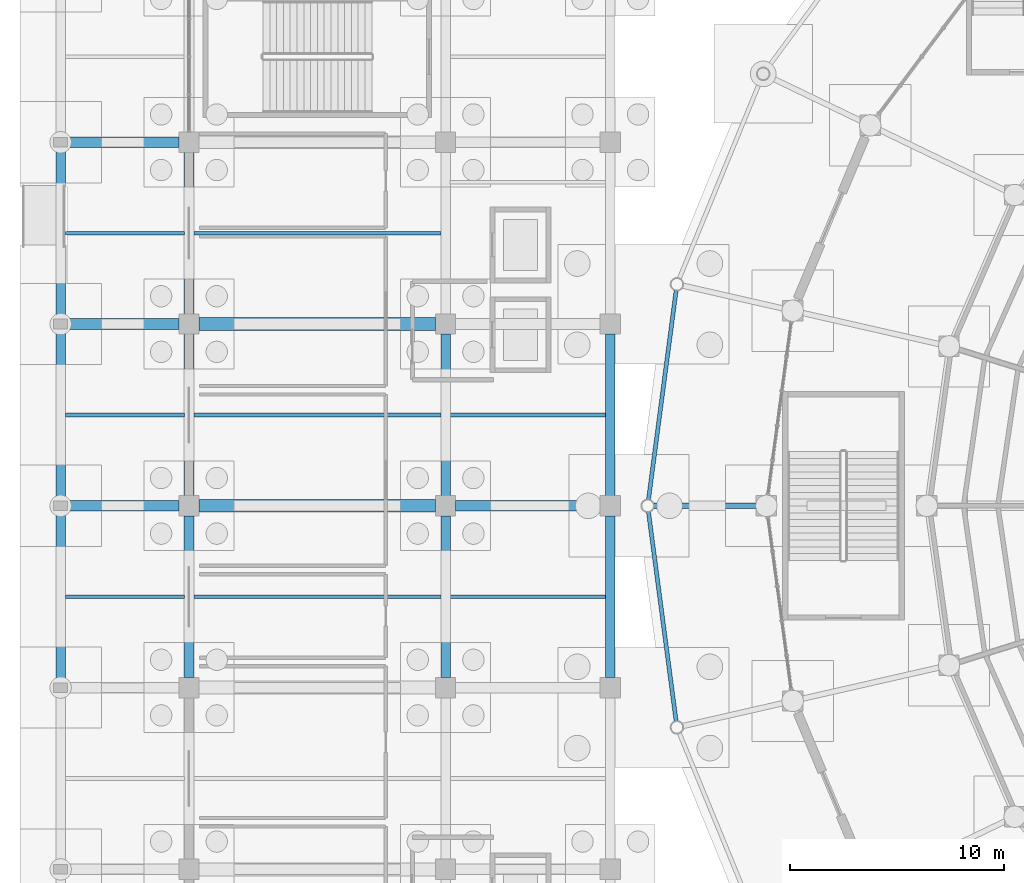
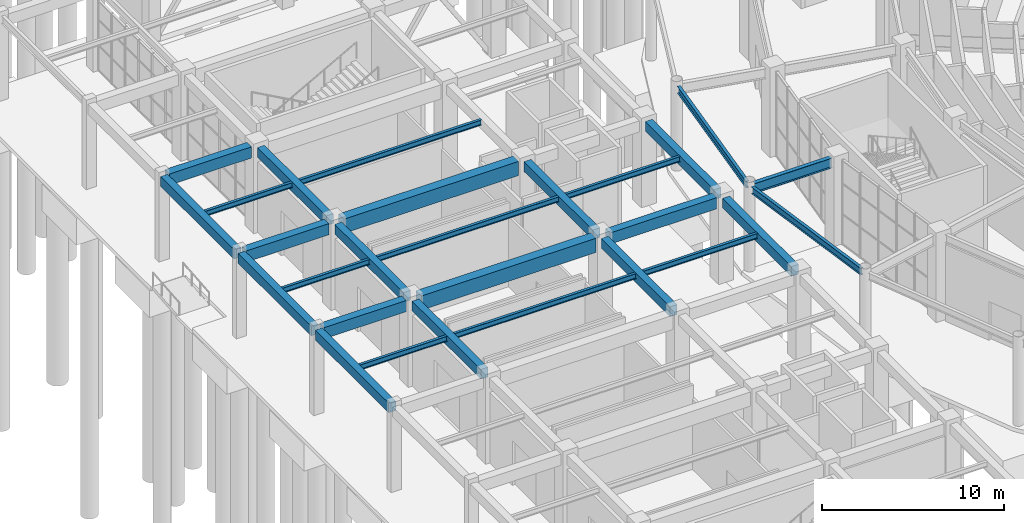
# One storey, part 37 of 121: 27 beams.
"""IFC4 building model written with IfcOpenShell, lengths in metres."""

from ifc_helpers import new_model, si_unit, direction, frame, origin, origin_2d, place, context, subcontext, project, spatial, rectangle, i_section, extrude, material, material_profile, profile_set, type_object, element, save


model = new_model("IFC4")

# Units and contexts
model_context = context("Model", 3, precision=1e-05, world=origin(), true_north=direction((0.0, 1.0)))
body_context = subcontext(model_context, "Body", "Model", "MODEL_VIEW")
ifc_project = project(units=[si_unit("LENGTHUNIT", "METRE"), si_unit("AREAUNIT", "SQUARE_METRE"), si_unit("VOLUMEUNIT", "CUBIC_METRE"), si_unit("PLANEANGLEUNIT", "RADIAN"), si_unit("MASSUNIT", "GRAM", prefix="KILO")], contexts=[model_context])

# Site, building, storey
site_placement = place(None, origin())
site = spatial("IfcSite", under=ifc_project, at=site_placement, CompositionType="ELEMENT")
building_placement = place(site_placement, origin())
building = spatial("IfcBuilding", under=site, at=building_placement, Name="Cuetzalor Civic Arena", CompositionType="ELEMENT")
storey_placement = place(building_placement, origin())
storey = spatial("IfcBuildingStorey", under=building, at=storey_placement, Name="L00", CompositionType="ELEMENT", Elevation=0.0)

# Beams
ifc_material_1 = material(Name="Concrete C40/50", Category="concrete")
ifc_material_profile_1 = material_profile(ifc_material_1, rectangle(XDim=0.5, YDim=0.75, at=origin_2d()), Name="RC 500x750")
ifc_profile_set_1 = profile_set([ifc_material_profile_1], Name="Concrete C40/50")
beam_type_1 = type_object("IfcBeamType", Name="ConcreteFrameBeam_500x750", PredefinedType="BEAM", material=ifc_profile_set_1)
beam_1_placement = place(storey_placement, frame((-81.68505859375, 0.0, 5.324951171875), z_axis=(1.0, 0.0, 0.0), x_axis=(0.0, 1.0, 0.0)))
element("IfcBeam", 1, at=beam_1_placement, inside=storey, type_object=beam_type_1, Name="Frame Girder V4W-L00-X0078", PredefinedType="BEAM", context=body_context, shape_type="SweptSolid", body=[
    extrude(rectangle(XDim=0.5, YDim=0.75, at=origin_2d()), origin(), (0.0, 0.0, 1.0), 5.219970703125),
])
beam_2_placement = place(storey_placement, frame((-63.534912109375, 0.0, 5.324951171875), z_axis=(1.0, 0.0, 0.0), x_axis=(0.0, 1.0, 0.0)))
element("IfcBeam", 2, at=beam_2_placement, inside=storey, type_object=beam_type_1, Name="Frame Girder V4W-L00-X0080", PredefinedType="BEAM", context=body_context, shape_type="SweptSolid", body=[
    extrude(rectangle(XDim=0.5, YDim=0.75, at=origin_2d()), origin(), (0.0, 0.0, 1.0), 6.77001953125),
])
for number, where, z_axis, x_axis, name in (
    (3, (-81.68505859375, 8.5, 5.324951171875), (1.0, 0.0, 0.0), (0.0, 1.0, 0.0), "Frame Girder V4W-L00-X0081"),
    (4, (-81.68505859375, 17.0, 5.324951171875), (1.0, 0.0, 0.0), (0.0, 1.0, 0.0), "Frame Girder V4W-L00-X0084"),
):
    element("IfcBeam", number, at=place(storey_placement, frame(where, z_axis=z_axis, x_axis=x_axis)), inside=storey, type_object=beam_type_1, Name=name, PredefinedType="BEAM", context=body_context, shape_type="SweptSolid", body=[
        extrude(rectangle(XDim=0.5, YDim=0.75, at=origin_2d()), origin(), (0.0, 0.0, 1.0), 5.219970703125),
    ])
ifc_material_2 = material(Name="Concrete C40/50", Category="concrete")
ifc_material_profile_2 = material_profile(ifc_material_2, rectangle(XDim=0.60009765625, YDim=0.949951171875, at=origin_2d()), Name="RC 600x950")
ifc_profile_set_2 = profile_set([ifc_material_profile_2], Name="Concrete C40/50")
beam_type_2 = type_object("IfcBeamType", Name="ConcreteFrameBeam_600x950", PredefinedType="BEAM", material=ifc_profile_set_2)
for number, where, z_axis, x_axis, name in (
    (5, (-75.534912109375, 0.0, 5.22509765625), (1.0, 0.0, 0.0), (0.0, 1.0, 0.0), "Frame Girder V4W-L00-X0079"),
    (6, (-75.534912109375, 8.5, 5.22509765625), (1.0, 0.0, 0.0), (0.0, 1.0, 0.0), "Frame Girder V4W-L00-X0082"),
):
    element("IfcBeam", number, at=place(storey_placement, frame(where, z_axis=z_axis, x_axis=x_axis)), inside=storey, type_object=beam_type_2, Name=name, PredefinedType="BEAM", context=body_context, shape_type="SweptSolid", body=[
        extrude(rectangle(XDim=0.60009765625, YDim=0.949951171875, at=origin_2d()), origin(), (0.0, 0.0, 1.0), 11.06982421875),
    ])
ifc_material_3 = material(Name="Concrete C40/50", Category="concrete")
ifc_material_profile_3 = material_profile(ifc_material_3, rectangle(XDim=0.449951171875, YDim=0.64990234375, at=origin_2d()), Name="RC 450x650")
ifc_profile_set_3 = profile_set([ifc_material_profile_3], Name="Concrete C40/50")
beam_type_3 = type_object("IfcBeamType", Name="ConcreteTieBeam_450x650", PredefinedType="BEAM", material=ifc_profile_set_3)
for number, where, z_axis, x_axis, name in (
    (7, (-82.0, -8.284912109375, 5.375), (0.0, 1.0, 0.0), (-1.0, 0.0, 0.0), "Frame Girder V4W-L00-Y0098"),
    (8, (-82.0, 0.215087890625, 5.375), (0.0, 1.0, 0.0), (-1.0, 0.0, 0.0), "Frame Girder V4W-L00-Y0099"),
    (9, (-82.0, 8.715087890625, 5.375), (0.0, 1.0, 0.0), (-1.0, 0.0, 0.0), "Frame Girder V4W-L00-Y0100"),
):
    element("IfcBeam", number, at=place(storey_placement, frame(where, z_axis=z_axis, x_axis=x_axis)), inside=storey, type_object=beam_type_3, Name=name, PredefinedType="BEAM", context=body_context, shape_type="SweptSolid", body=[
        extrude(rectangle(XDim=0.449951171875, YDim=0.64990234375, at=origin_2d()), origin(), (0.0, 0.0, 1.0), 8.06982421875),
    ])
for number, where, z_axis, x_axis, name in (
    (10, (-76.0, -8.034912109375, 5.375), (0.0, 1.0, 0.0), (-1.0, 0.0, 0.0), "Frame Girder V4W-L00-Y0108"),
    (11, (-76.0, 0.465087890625, 5.375), (0.0, 1.0, 0.0), (-1.0, 0.0, 0.0), "Frame Girder V4W-L00-Y0109"),
    (12, (-76.0, 8.965087890625, 5.375), (0.0, 1.0, 0.0), (-1.0, 0.0, 0.0), "Frame Girder V4W-L00-Y0110"),
    (13, (-64.0, -8.034912109375, 5.375), (0.0, 1.0, 0.0), (-1.0, 0.0, 0.0), "Frame Girder V4W-L00-Y0118"),
    (14, (-64.0, 0.465087890625, 5.375), (0.0, 1.0, 0.0), (-1.0, 0.0, 0.0), "Frame Girder V4W-L00-Y0119"),
    (15, (-56.300048828125, -8.034912109375, 5.375), (0.0, 1.0, 0.0), (-1.0, 0.0, 0.0), "Frame Girder V4W-L00-Y0128"),
    (16, (-56.300048828125, 0.465087890625, 5.375), (0.0, 1.0, 0.0), (-1.0, 0.0, 0.0), "Frame Girder V4W-L00-Y0129"),
):
    element("IfcBeam", number, at=place(storey_placement, frame(where, z_axis=z_axis, x_axis=x_axis)), inside=storey, type_object=beam_type_3, Name=name, PredefinedType="BEAM", context=body_context, shape_type="SweptSolid", body=[
        extrude(rectangle(XDim=0.449951171875, YDim=0.64990234375, at=origin_2d()), origin(), (0.0, 0.0, 1.0), 7.56982421875),
    ])
ifc_material_4 = material(Name="Steel S355", Category="steel")
ifc_material_profile_4 = material_profile(ifc_material_4, i_section(OverallWidth=0.18994140625, OverallDepth=0.45703125, WebThickness=0.009033203125, FlangeThickness=0.014404296875, at=origin_2d()), Name="W460x74")
ifc_profile_set_4 = profile_set([ifc_material_profile_4], Name="Steel S355")
beam_type_4 = type_object("IfcBeamType", Name="FacadeSpandrelBeam_W460", PredefinedType="SPANDREL", material=ifc_profile_set_4)
for number, where, z_axis, x_axis, name in (
    (17, (-53.22021484375, 10.07080078125, 5.471435546875), (-0.130901206694, -0.991395417624, 0.0), (0.991395417624, -0.130901206694, 0.0), "Drum Perimeter Spandrel L00-S14"),
    (18, (-54.511962890625, -0.28759765625, 5.471435546875), (0.130901206694, -0.991395417624, 0.0), (0.991395417624, 0.130901206694, 0.0), "Drum Perimeter Spandrel L00-S15"),
):
    element("IfcBeam", number, at=place(storey_placement, frame(where, z_axis=z_axis, x_axis=x_axis)), inside=storey, type_object=beam_type_4, Name=name, PredefinedType="SPANDREL", context=body_context, shape_type="SweptSolid", body=[
        extrude(i_section(OverallWidth=0.18994140625, OverallDepth=0.45703125, WebThickness=0.009033203125, FlangeThickness=0.014404296875, at=origin_2d()), origin(), (0.0, 0.0, 1.0), 9.8681640625),
    ])
ifc_material_5 = material(Name="Steel S355", Category="steel")
ifc_material_profile_5 = material_profile(ifc_material_5, i_section(OverallWidth=0.1708984375, OverallDepth=0.35498046875, WebThickness=0.007080078125, FlangeThickness=0.01171875, at=origin_2d()), Name="W360x51")
ifc_profile_set_5 = profile_set([ifc_material_profile_5], Name="Steel S355")
beam_type_5 = type_object("IfcBeamType", Name="SecondaryFloorJoist_W360", PredefinedType="JOIST", material=ifc_profile_set_5)
for number, where, z_axis, x_axis, name in (
    (19, (-81.782958984375, -4.25, 5.5224609375), (1.0, 0.0, 0.0), (0.0, 1.0, 0.0), "Secondary Floor Joist V4W-L00-0020"),
    (20, (-81.782958984375, 4.25, 5.5224609375), (1.0, 0.0, 0.0), (0.0, 1.0, 0.0), "Secondary Floor Joist V4W-L00-0021"),
    (21, (-81.782958984375, 12.75, 5.5224609375), (1.0, 0.0, 0.0), (0.0, 1.0, 0.0), "Secondary Floor Joist V4W-L00-0022"),
):
    element("IfcBeam", number, at=place(storey_placement, frame(where, z_axis=z_axis, x_axis=x_axis)), inside=storey, type_object=beam_type_5, Name=name, PredefinedType="JOIST", context=body_context, shape_type="SweptSolid", body=[
        extrude(i_section(OverallWidth=0.1708984375, OverallDepth=0.35498046875, WebThickness=0.007080078125, FlangeThickness=0.01171875, at=origin_2d()), origin(), (0.0, 0.0, 1.0), 5.56591796875),
    ])
for number, where, z_axis, x_axis, name in (
    (22, (-75.782958984375, -4.25, 5.5224609375), (1.0, 0.0, 0.0), (0.0, 1.0, 0.0), "Secondary Floor Joist V4W-L00-0028"),
    (23, (-75.782958984375, 4.25, 5.5224609375), (1.0, 0.0, 0.0), (0.0, 1.0, 0.0), "Secondary Floor Joist V4W-L00-0029"),
    (24, (-75.782958984375, 12.75, 5.5224609375), (1.0, 0.0, 0.0), (0.0, 1.0, 0.0), "Secondary Floor Joist V4W-L00-0030"),
):
    element("IfcBeam", number, at=place(storey_placement, frame(where, z_axis=z_axis, x_axis=x_axis)), inside=storey, type_object=beam_type_5, Name=name, PredefinedType="JOIST", context=body_context, shape_type="SweptSolid", body=[
        extrude(i_section(OverallWidth=0.1708984375, OverallDepth=0.35498046875, WebThickness=0.007080078125, FlangeThickness=0.01171875, at=origin_2d()), origin(), (0.0, 0.0, 1.0), 11.56591796875),
    ])
for number, where, z_axis, x_axis, name in (
    (25, (-63.782958984375, -4.25, 5.5224609375), (1.0, 0.0, 0.0), (0.0, 1.0, 0.0), "Secondary Floor Joist V4W-L00-0036"),
    (26, (-63.782958984375, 4.25, 5.5224609375), (1.0, 0.0, 0.0), (0.0, 1.0, 0.0), "Secondary Floor Joist V4W-L00-0037"),
):
    element("IfcBeam", number, at=place(storey_placement, frame(where, z_axis=z_axis, x_axis=x_axis)), inside=storey, type_object=beam_type_5, Name=name, PredefinedType="JOIST", context=body_context, shape_type="SweptSolid", body=[
        extrude(i_section(OverallWidth=0.1708984375, OverallDepth=0.35498046875, WebThickness=0.007080078125, FlangeThickness=0.01171875, at=origin_2d()), origin(), (0.0, 0.0, 1.0), 7.265869140625),
    ])
ifc_material_6 = material(Name="Steel S355", Category="steel")
ifc_material_profile_6 = material_profile(ifc_material_6, i_section(OverallWidth=0.2529296875, OverallDepth=0.677978515625, WebThickness=0.01171875, FlangeThickness=0.016357421875, at=origin_2d()), Name="W690x125")
ifc_profile_set_6 = profile_set([ifc_material_profile_6], Name="Steel S355")
beam_type_6 = type_object("IfcBeamType", Name="SteelPrimaryGirder_W690", PredefinedType="BEAM", material=ifc_profile_set_6)
beam_3_placement = place(storey_placement, frame((-49.360107421875, 0.0, 5.361083984375), z_axis=(-1.0, 0.0, 0.0), x_axis=(0.0, -1.0, 0.0)))
element("IfcBeam", 27, at=beam_3_placement, inside=storey, type_object=beam_type_6, Name="Drum Radial Girder L00-R15", PredefinedType="BEAM", context=body_context, shape_type="SweptSolid", body=[
    extrude(i_section(OverallWidth=0.2529296875, OverallDepth=0.677978515625, WebThickness=0.01171875, FlangeThickness=0.016357421875, at=origin_2d()), origin(), (0.0, 0.0, 1.0), 4.89990234375),
])

save(model, "model.ifc")
